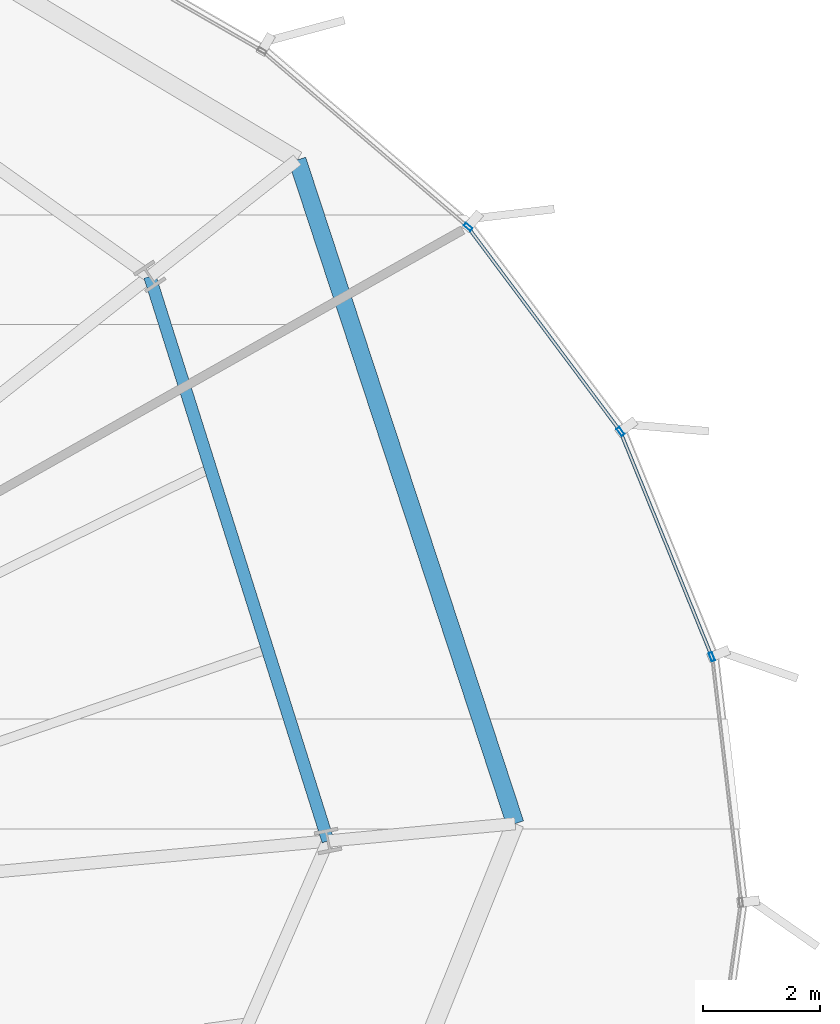
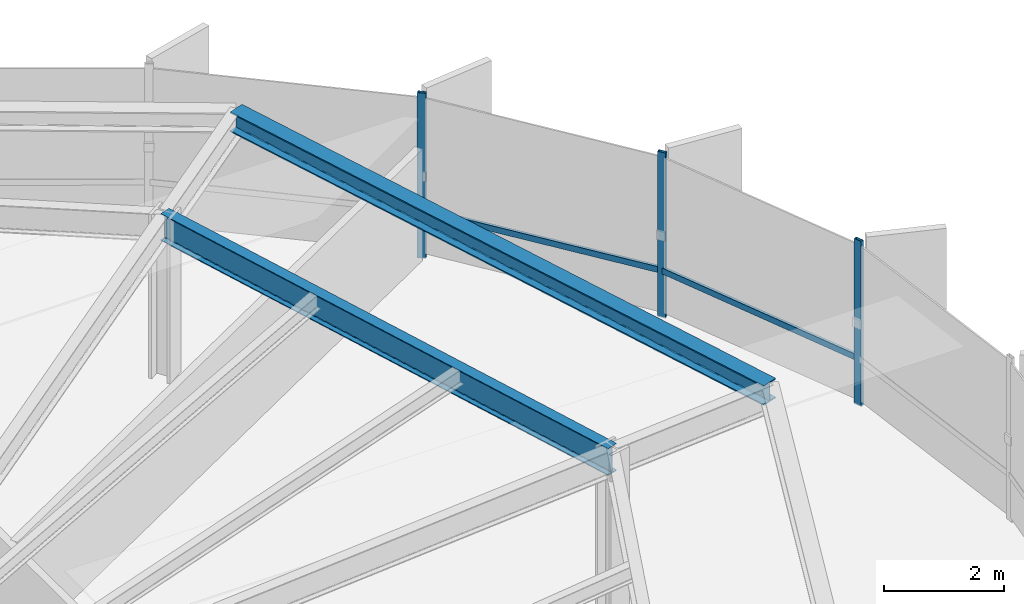
# One storey, part 24 of 35: 5 members, 2 beams, 1 element without a shape of its own.
"""IFC4 building model written with IfcOpenShell, lengths in metres."""

from ifc_helpers import new_model, si_unit, direction, frame, origin, origin_2d, place, context, subcontext, project, spatial, hollow_rectangle, i_section, extrude, source, transform, mapped, material, layer, layer_set, material_profile, profile_set, type_object, element, aggregate, save


model = new_model("IFC4")

# Units and contexts
model_context = context("Model", 3, precision=1e-05, world=origin(), true_north=direction((0.0, 1.0)))
body_context = subcontext(model_context, "Body", "Model", "MODEL_VIEW")
ifc_project = project(units=[si_unit("LENGTHUNIT", "METRE"), si_unit("AREAUNIT", "SQUARE_METRE"), si_unit("VOLUMEUNIT", "CUBIC_METRE"), si_unit("PLANEANGLEUNIT", "RADIAN"), si_unit("MASSUNIT", "GRAM", prefix="KILO"), si_unit("THERMODYNAMICTEMPERATUREUNIT", "KELVIN")], contexts=[model_context])

# Site, building, storey
site_placement = place(None, origin())
site = spatial("IfcSite", under=ifc_project, at=site_placement, CompositionType="ELEMENT")
building_placement = place(site_placement, origin())
building = spatial("IfcBuilding", under=site, at=building_placement, Name="Kethvar Cultural Tower", CompositionType="ELEMENT")
storey_placement = place(building_placement, frame((0.0, 0.0, 92.800048828125)))
storey = spatial("IfcBuildingStorey", under=building, at=storey_placement, Name="L22", CompositionType="ELEMENT", Elevation=92.800048828125)

# Beams
ifc_material_1 = material(Name="Steel S355J2", Category="steel")
ifc_material_profile_1 = material_profile(ifc_material_1, i_section(OverallWidth=0.2099609375, OverallDepth=0.550048828125, WebThickness=0.010986328125, FlangeThickness=0.01708984375, FilletRadius=0.02392578125, at=origin_2d()), Name="Steel S355J2 — IPE550")
ifc_profile_set_1 = profile_set([ifc_material_profile_1], Name="Steel S355J2 — IPE550")
beam_type_1 = type_object("IfcBeamType", Name="BM-IPE550", PredefinedType="BEAM", material=ifc_profile_set_1)
shared_shape_1 = source(origin(), body_context, "Body", "SweptSolid", [
    extrude(i_section(OverallWidth=0.2099609375, OverallDepth=0.550048828125, WebThickness=0.010986328125, FlangeThickness=0.01708984375, FilletRadius=0.02392578125, at=origin_2d()), origin(), (0.0, 0.0, 1.0), 10.079345703125),
])
beam_1_placement = place(storey_placement, frame((71.6025390625, 32.7333984375, 3.072998046875), z_axis=(-0.301007326566, 0.953621827222, 0.0), x_axis=(-0.953621827222, -0.301007326566, 0.0)))
element("IfcBeam", 1, at=beam_1_placement, inside=storey, type_object=beam_type_1, Name="L22 Column Ring Tie Beam CR-01", PredefinedType="BEAM", context=body_context, shape_type="MappedRepresentation", body=[
    mapped(shared_shape_1, transform((0.0, 0.0, 0.0), scale=1.0)),
])
ifc_material_profile_2 = material_profile(ifc_material_1, i_section(OverallWidth=0.300048828125, OverallDepth=0.39990234375, WebThickness=0.013427734375, FlangeThickness=0.02392578125, FilletRadius=0.027099609375, at=origin_2d()), Name="Steel S355J2 — HEB400")
ifc_profile_set_2 = profile_set([ifc_material_profile_2], Name="Steel S355J2 — HEB400")
beam_type_2 = type_object("IfcBeamType", Name="BM-SP400", PredefinedType="SPANDREL", material=ifc_profile_set_2)
shared_shape_2 = source(origin(), body_context, "Body", "SweptSolid", [
    extrude(i_section(OverallWidth=0.300048828125, OverallDepth=0.39990234375, WebThickness=0.013427734375, FlangeThickness=0.02392578125, FilletRadius=0.027099609375, at=origin_2d()), origin(), (0.0, 0.0, 1.0), 11.8935546875),
])
beam_2_placement = place(storey_placement, frame((74.788818359375, 33.02880859375, 3.14794921875), z_axis=(-0.311870604739, 0.95012458441, 0.0), x_axis=(-0.95012458441, -0.311870604739, 0.0)))
element("IfcBeam", 2, at=beam_2_placement, inside=storey, type_object=beam_type_2, Name="L22 Perimeter Spandrel Beam SP-01", PredefinedType="SPANDREL", context=body_context, shape_type="MappedRepresentation", body=[
    mapped(shared_shape_2, transform((0.0, 0.0, 0.0), scale=1.0)),
])

# Curtain wall, members
ifc_material_2 = material(Name="Aluminium 6063-T6", Category="aluminium")
ifc_layer = layer(ifc_material_2, 0.179931640625, Name="Aluminium 6063-T6", Category="aluminium")
ifc_layer_set = layer_set([ifc_layer], Name="Aluminium 6063-T6 (180 mm)")
curtain_wall_type = type_object("IfcCurtainWallType", Name="CW-SYS-03-Z2", PredefinedType="NOTDEFINED", material=ifc_layer_set)
curtain_wall_placement = place(storey_placement, origin())
curtain_wall = element("IfcCurtainWall", 3, at=curtain_wall_placement, inside=storey, type_object=curtain_wall_type, Name="L22 Curtain Wall Run 01", PredefinedType="NOTDEFINED")
ifc_material_profile_3 = material_profile(ifc_material_2, hollow_rectangle(XDim=0.06005859375, YDim=0.14990234375, WallThickness=0.0048828125, at=origin_2d()), Name="Aluminium 6063-T6 — RHS150x60x5")
ifc_profile_set_3 = profile_set([ifc_material_profile_3], Name="Aluminium 6063-T6 — RHS150x60x5")
member_type_1 = type_object("IfcMemberType", Name="CW-SYS-03-Z2-MUL", PredefinedType="MULLION", material=ifc_profile_set_3)
shared_shape_3 = source(origin(), body_context, "Body", "SweptSolid", [
    extrude(hollow_rectangle(XDim=0.06005859375, YDim=0.14990234375, WallThickness=0.0048828125, at=origin_2d()), origin(), (0.0, 0.0, 1.0), 3.349853515625),
])
member_1_placement = place(storey_placement, frame((78.13720703125, 35.8701171875, 0.0), z_axis=(0.0, 0.0, 1.0), x_axis=(-0.92640381924, -0.376531490977, 0.0)))
member_1 = element("IfcMember", 4, at=member_1_placement, type_object=member_type_1, Name="CW-L22-R01 Mullion 1", PredefinedType="MULLION", context=body_context, shape_type="MappedRepresentation", body=[
    mapped(shared_shape_3, transform((0.0, 0.0, 0.0), scale=1.0)),
])
member_2_placement = place(storey_placement, frame((76.58251953125, 39.704833984375, 0.0), z_axis=(0.0, 0.0, 1.0), x_axis=(-0.801253812691, -0.598324600571, 0.0)))
member_2 = element("IfcMember", 5, at=member_2_placement, type_object=member_type_1, Name="CW-L22-R01 Mullion 2", PredefinedType="MULLION", context=body_context, shape_type="MappedRepresentation", body=[
    mapped(shared_shape_3, transform((0.0, 0.0, 0.0), scale=1.0)),
])
member_3_placement = place(storey_placement, frame((73.985595703125, 43.187255859375, 0.0), z_axis=(0.0, 0.0, 1.0), x_axis=(-0.649753242513, -0.760145199185, 0.0)))
member_3 = element("IfcMember", 6, at=member_3_placement, type_object=member_type_1, Name="CW-L22-R01 Mullion 3", PredefinedType="MULLION", context=body_context, shape_type="MappedRepresentation", body=[
    mapped(shared_shape_3, transform((0.0, 0.0, 0.0), scale=1.0)),
])
ifc_material_profile_4 = material_profile(ifc_material_2, hollow_rectangle(XDim=0.054931640625, YDim=0.1201171875, WallThickness=0.00390625, at=origin_2d()), Name="Aluminium 6063-T6 — RHS120x55x4")
ifc_profile_set_4 = profile_set([ifc_material_profile_4], Name="Aluminium 6063-T6 — RHS120x55x4")
member_type_2 = type_object("IfcMemberType", Name="CW-SYS-03-Z2-TRN", PredefinedType="USERDEFINED", material=ifc_profile_set_4)
shared_shape_4 = source(origin(), body_context, "Body", "SweptSolid", [
    extrude(hollow_rectangle(XDim=0.054931640625, YDim=0.1201171875, WallThickness=0.00390625, at=origin_2d()), origin(), (0.0, 0.0, 1.0), 4.11962890625),
])
member_4_placement = place(storey_placement, frame((78.135498046875, 35.873779296875, 0.949951171875), z_axis=(-0.37650421512, 0.926414904887, 0.0), x_axis=(-0.926414904887, -0.37650421512, 0.0)))
member_4 = element("IfcMember", 7, at=member_4_placement, type_object=member_type_2, Name="CW-L22-R01 Transom 1", ObjectType="TRANSOM", PredefinedType="USERDEFINED", context=body_context, shape_type="MappedRepresentation", body=[
    mapped(shared_shape_4, transform((0.0, 0.0, 0.0), scale=1.0)),
])
shared_shape_5 = source(origin(), body_context, "Body", "SweptSolid", [
    extrude(hollow_rectangle(XDim=0.054931640625, YDim=0.1201171875, WallThickness=0.00390625, at=origin_2d()), origin(), (0.0, 0.0, 1.0), 4.283203125),
])
member_5_placement = place(storey_placement, frame((76.556640625, 39.739501953125, 0.949951171875), z_axis=(-0.598329732284, 0.801249980634, 0.0), x_axis=(-0.801249980634, -0.598329732284, 0.0)))
member_5 = element("IfcMember", 8, at=member_5_placement, type_object=member_type_2, Name="CW-L22-R01 Transom 2", ObjectType="TRANSOM", PredefinedType="USERDEFINED", context=body_context, shape_type="MappedRepresentation", body=[
    mapped(shared_shape_5, transform((0.0, 0.0, 0.0), scale=1.0)),
])
aggregate(curtain_wall, [member_1, member_2, member_3, member_4, member_5])

save(model, "model.ifc")
